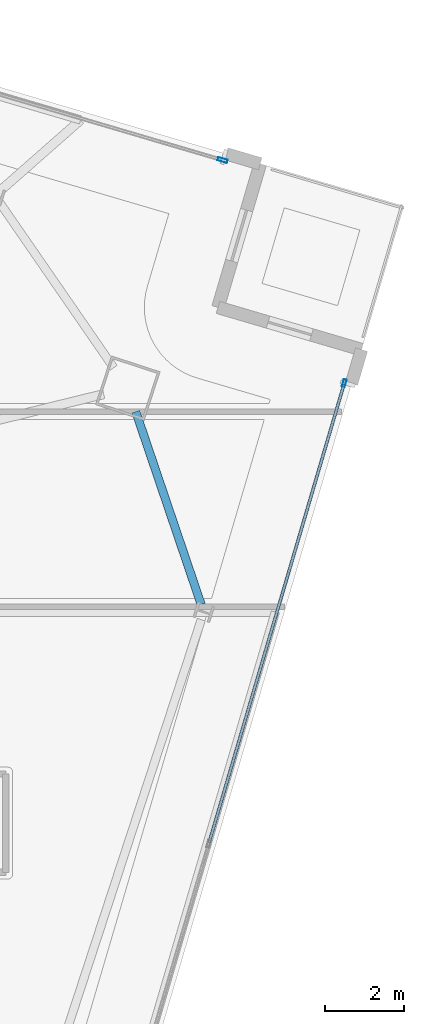
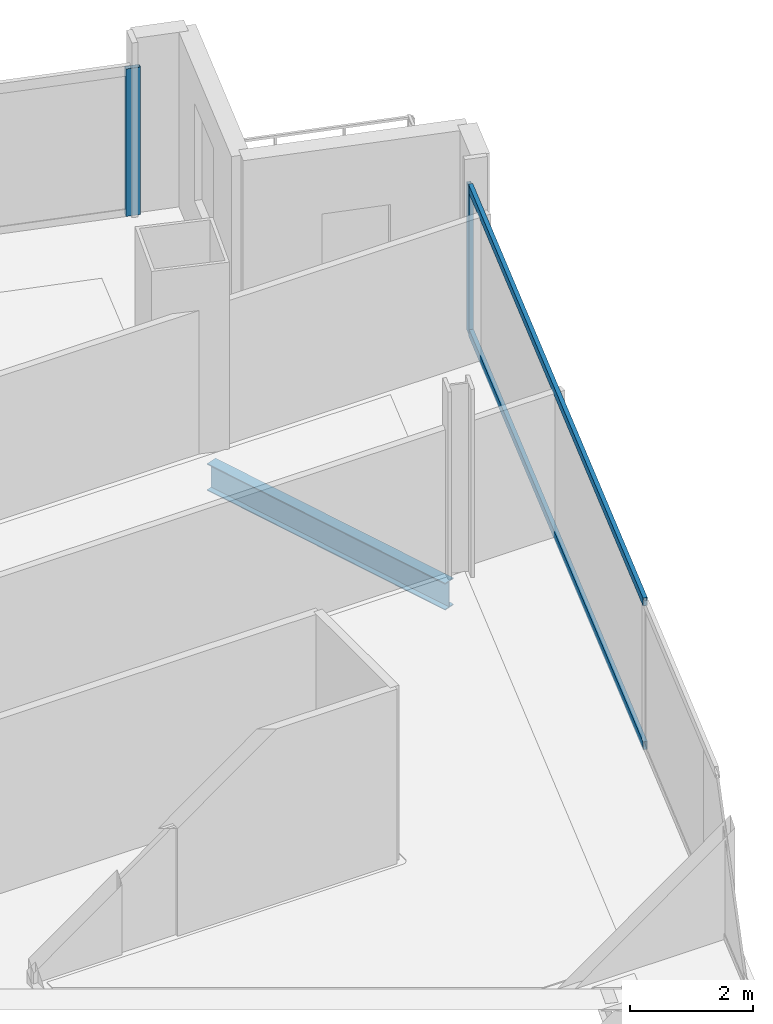
# One storey, part 18 of 26: 4 members, 1 beam, 2 elements without a shape of their own.
"""IFC4 building model written with IfcOpenShell, lengths in metres."""

from ifc_helpers import new_model, si_unit, direction, frame, origin, origin_2d, place, context, subcontext, project, spatial, hollow_rectangle, i_section, extrude, material, material_profile, profile_set, type_object, element, aggregate, save


model = new_model("IFC4")

# Units and contexts
model_context = context("Model", 3, precision=1e-05, world=origin(), true_north=direction((0.0, 1.0)))
body_context = subcontext(model_context, "Body", "Model", "MODEL_VIEW")
ifc_project = project(units=[si_unit("LENGTHUNIT", "METRE"), si_unit("AREAUNIT", "SQUARE_METRE"), si_unit("VOLUMEUNIT", "CUBIC_METRE"), si_unit("PLANEANGLEUNIT", "RADIAN"), si_unit("MASSUNIT", "GRAM", prefix="KILO")], contexts=[model_context])

# Site, building, storey
site_placement = place(None, origin())
site = spatial("IfcSite", under=ifc_project, at=site_placement, CompositionType="ELEMENT")
building_placement = place(site_placement, origin())
building = spatial("IfcBuilding", under=site, at=building_placement, Name="Haldenkirk Collegiate Tower", CompositionType="ELEMENT")
storey_placement = place(building_placement, frame((0.0, 0.0, 274.949951171875)))
storey = spatial("IfcBuildingStorey", under=building, at=storey_placement, Name="L69", CompositionType="ELEMENT", Elevation=274.949951171875)

# Beam
ifc_material_1 = material(Name="Steel ASTM A992 Grade 50", Category="steel")
ifc_material_profile_1 = material_profile(ifc_material_1, i_section(OverallWidth=0.2099609375, OverallDepth=0.537109375, WebThickness=0.010986328125, FlangeThickness=0.017333984375, at=origin_2d()), Name="W21X68")
ifc_profile_set_1 = profile_set([ifc_material_profile_1], Name="Steel ASTM A992 Grade 50")
beam_type = type_object("IfcBeamType", Name="BM-SPANDREL-W21X68", PredefinedType="SPANDREL", material=ifc_profile_set_1)
beam_placement = place(storey_placement, frame((59.258544921875, 31.5517578125, -0.538330078125), z_axis=(-0.321225245884, 0.947002820168, 0.0), x_axis=(-0.947002820168, -0.321225245884, 0.0)))
element("IfcBeam", 1, at=beam_placement, inside=storey, type_object=beam_type, Name="L69 perimeter spandrel beam 04", PredefinedType="SPANDREL", context=body_context, shape_type="SweptSolid", body=[
    extrude(i_section(OverallWidth=0.2099609375, OverallDepth=0.537109375, WebThickness=0.010986328125, FlangeThickness=0.017333984375, at=origin_2d()), origin(), (0.0, 0.0, 1.0), 5.1689453125),
])

# Curtain wall, member
ifc_material_2 = material(Name="Anodised architectural bronze aluminium", Category="aluminium")
curtain_wall_type_1 = type_object("IfcCurtainWallType", Name="CW-SYS2-CONCAVE", PredefinedType="USERDEFINED", material=ifc_material_2)
curtain_wall_1_placement = place(storey_placement, origin())
curtain_wall_1 = element("IfcCurtainWall", 2, at=curtain_wall_1_placement, inside=storey, type_object=curtain_wall_type_1, Name="L69 South concave recessed bronze-anodised curtain wall", ObjectType="UNITISED CURTAIN WALL", PredefinedType="USERDEFINED")
ifc_material_profile_2 = material_profile(ifc_material_2, hollow_rectangle(XDim=0.074951171875, YDim=0.18994140625, WallThickness=0.0048828125, at=origin_2d()), Name="CW-MUL-02")
ifc_profile_set_2 = profile_set([ifc_material_profile_2], Name="Anodised architectural bronze aluminium")
member_type_1 = type_object("IfcMemberType", Name="CW-MUL-02", PredefinedType="MULLION", material=ifc_profile_set_2)
member_1_placement = place(storey_placement, frame((62.89404296875, 37.173828125, 0.0), z_axis=(0.0, 0.0, 1.0), x_axis=(0.9593141571, -0.282340836558, 0.0)))
member_1 = element("IfcMember", 3, at=member_1_placement, type_object=member_type_1, Name="CW-02 mullion 1", PredefinedType="MULLION", context=body_context, shape_type="SweptSolid", body=[
    extrude(hollow_rectangle(XDim=0.074951171875, YDim=0.18994140625, WallThickness=0.0048828125, at=origin_2d()), origin(), (0.0, 0.0, 1.0), 2.93798828125),
])

curtain_wall_type_2 = type_object("IfcCurtainWallType", Name="CW-SYS1B-CONVEX-HI", PredefinedType="USERDEFINED", material=ifc_material_2)
curtain_wall_2_placement = place(storey_placement, origin())
curtain_wall_2 = element("IfcCurtainWall", 4, at=curtain_wall_2_placement, inside=storey, type_object=curtain_wall_type_2, Name="L69 Upper tower high-wind convex bronze unitised curtain wall", ObjectType="UNITISED CURTAIN WALL", PredefinedType="USERDEFINED")
ifc_material_profile_3 = material_profile(ifc_material_2, hollow_rectangle(XDim=0.0849609375, YDim=0.25, WallThickness=0.0048828125, at=origin_2d()), Name="CW-MUL-1B")
ifc_profile_set_3 = profile_set([ifc_material_profile_3], Name="Anodised architectural bronze aluminium")
member_type_2 = type_object("IfcMemberType", Name="CW-MUL-1B", PredefinedType="MULLION", material=ifc_profile_set_3)
member_2_placement = place(storey_placement, frame((59.803955078125, 42.833984375, 0.0), z_axis=(0.0, 0.0, 1.0), x_axis=(0.282341816085, 0.959313868809, 0.0)))
member_2 = element("IfcMember", 5, at=member_2_placement, type_object=member_type_2, Name="CW-1B mullion 4", PredefinedType="MULLION", context=body_context, shape_type="SweptSolid", body=[
    extrude(hollow_rectangle(XDim=0.0849609375, YDim=0.25, WallThickness=0.0048828125, at=origin_2d()), origin(), (0.0, 0.0, 1.0), 2.93798828125),
])
aggregate(curtain_wall_2, [member_2])

# Member
ifc_material_profile_4 = material_profile(ifc_material_2, hollow_rectangle(XDim=0.074951171875, YDim=0.159912109375, WallThickness=0.0048828125, at=origin_2d()), Name="CW-TRN-02")
ifc_profile_set_4 = profile_set([ifc_material_profile_4], Name="Anodised architectural bronze aluminium")
member_type_3 = type_object("IfcMemberType", Name="CW-TRN-02", PredefinedType="USERDEFINED", material=ifc_profile_set_4)
member_3_placement = place(storey_placement, frame((62.883544921875, 37.137939453125, 0.03759765625), z_axis=(-0.282352794006, -0.959310637759, 0.0), x_axis=(0.959310637759, -0.282352794006, 0.0)))
member_3 = element("IfcMember", 6, at=member_3_placement, type_object=member_type_3, Name="CW-02 transom 1.1", ObjectType="TRANSOM", PredefinedType="USERDEFINED", context=body_context, shape_type="SweptSolid", body=[
    extrude(hollow_rectangle(XDim=0.074951171875, YDim=0.159912109375, WallThickness=0.0048828125, at=origin_2d()), origin(), (0.0, 0.0, 1.0), 12.120849609375),
])

member_4_placement = place(storey_placement, frame((62.883544921875, 37.137939453125, 2.900634765625), z_axis=(-0.282352794006, -0.959310637759, 0.0), x_axis=(0.959310637759, -0.282352794006, 0.0)))
member_4 = element("IfcMember", 7, at=member_4_placement, type_object=member_type_3, Name="CW-02 transom 1.2", ObjectType="TRANSOM", PredefinedType="USERDEFINED", context=body_context, shape_type="SweptSolid", body=[
    extrude(hollow_rectangle(XDim=0.074951171875, YDim=0.159912109375, WallThickness=0.0048828125, at=origin_2d()), origin(), (0.0, 0.0, 1.0), 12.120849609375),
])

aggregate(curtain_wall_1, [member_1, member_3, member_4])

save(model, "model.ifc")
